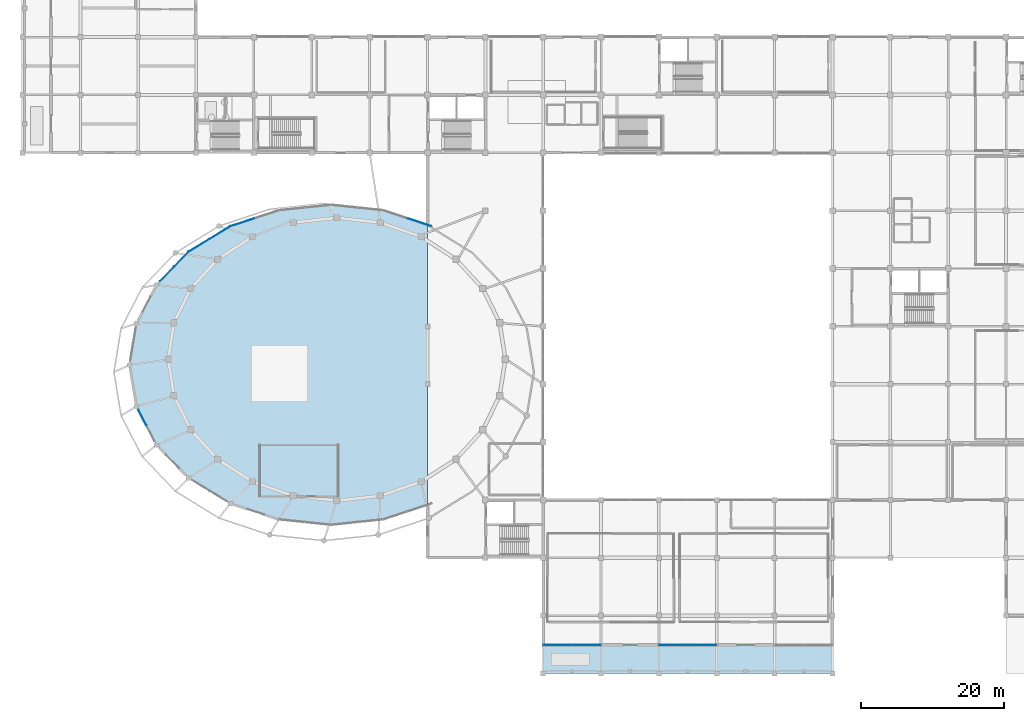
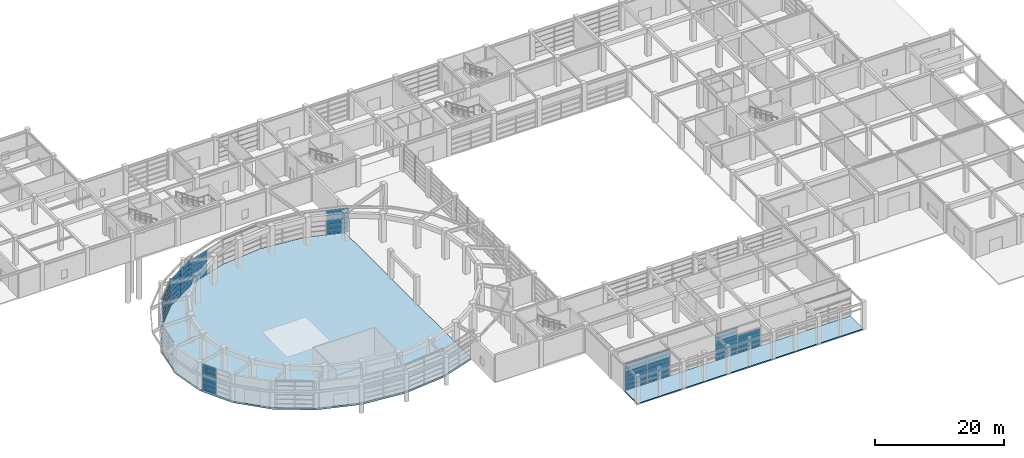
# One storey, part 29 of 52: 62 plates, 2 slabs, 7 elements without a shape of their own.
"""IFC4 building model written with IfcOpenShell, lengths in metres."""

from ifc_helpers import new_model, si_unit, direction, frame, origin, origin_2d, place, context, subcontext, project, spatial, polyline, rectangle, outline, extrude, material, layer, layer_set, type_object, element, aggregate, save


model = new_model("IFC4")

# Units and contexts
model_context = context("Model", 3, precision=1e-05, world=origin(), true_north=direction((0.0, 1.0)))
body_context = subcontext(model_context, "Body", "Model", "MODEL_VIEW")
ifc_project = project(units=[si_unit("LENGTHUNIT", "METRE"), si_unit("AREAUNIT", "SQUARE_METRE"), si_unit("VOLUMEUNIT", "CUBIC_METRE"), si_unit("PLANEANGLEUNIT", "RADIAN"), si_unit("MASSUNIT", "GRAM", prefix="KILO")], contexts=[model_context])

# Site, building, storey
site_placement = place(None, origin())
site = spatial("IfcSite", under=ifc_project, at=site_placement, CompositionType="ELEMENT")
building_placement = place(site_placement, origin())
building = spatial("IfcBuilding", under=site, at=building_placement, Name="Parian Resonance Hall", CompositionType="ELEMENT")
storey_placement = place(building_placement, origin())
storey = spatial("IfcBuildingStorey", under=building, at=storey_placement, Name="L00", CompositionType="ELEMENT", Elevation=0.0)

# Curtain wall, plates
ifc_material_1 = material(Name="Bronze-anodised aluminium frame", Category="aluminium")
curtain_wall_type_1 = type_object("IfcCurtainWallType", Name="CW-SYS-04", PredefinedType="NOTDEFINED", material=ifc_material_1)
curtain_wall_1_placement = place(storey_placement, origin())
curtain_wall_1 = element("IfcCurtainWall", 1, at=curtain_wall_1_placement, inside=storey, type_object=curtain_wall_type_1, Name="Grand foyer recessed base curtain wall 10", PredefinedType="NOTDEFINED")
ifc_material_2 = material(Name="Acoustic laminated double glazing", Category="glass")
ifc_layer_1 = layer(ifc_material_2, 0.02197265625)
ifc_layer_set_1 = layer_set([ifc_layer_1], Name="Acoustic laminated double glazing")
plate_type_1 = type_object("IfcPlateType", Name="CWP-IGU22", PredefinedType="CURTAIN_PANEL", material=ifc_layer_set_1)
plate_1_placement = place(storey_placement, frame((20.2412109375, 55.91455078125, 0.06689453125), z_axis=(0.0, 0.0, 1.0), x_axis=(0.694779772322, 0.719222544122, 0.0)))
plate_1 = element("IfcPlate", 2, at=plate_1_placement, type_object=plate_type_1, Name="CW-04 panel 1.1", PredefinedType="CURTAIN_PANEL", context=body_context, shape_type="SweptSolid", body=[
    extrude(rectangle(XDim=2.79638671875, YDim=0.02197265625, at=origin_2d()), origin(), (0.0, 0.0, 1.0), 0.7421875),
])
plate_2_placement = place(storey_placement, frame((20.2412109375, 55.91455078125, 0.88427734375), z_axis=(0.0, 0.0, 1.0), x_axis=(0.694779772322, 0.719222544122, 0.0)))
plate_2 = element("IfcPlate", 3, at=plate_2_placement, type_object=plate_type_1, Name="CW-04 panel 1.2", PredefinedType="CURTAIN_PANEL", context=body_context, shape_type="SweptSolid", body=[
    extrude(rectangle(XDim=2.79638671875, YDim=0.02197265625, at=origin_2d()), origin(), (0.0, 0.0, 1.0), 0.771484375),
])
plate_3_placement = place(storey_placement, frame((20.2412109375, 55.91455078125, 1.73095703125), z_axis=(0.0, 0.0, 1.0), x_axis=(0.694779772322, 0.719222544122, 0.0)))
plate_3 = element("IfcPlate", 4, at=plate_3_placement, type_object=plate_type_1, Name="CW-04 panel 1.3", PredefinedType="CURTAIN_PANEL", context=body_context, shape_type="SweptSolid", body=[
    extrude(rectangle(XDim=2.79638671875, YDim=0.02197265625, at=origin_2d()), origin(), (0.0, 0.0, 1.0), 0.771728515625),
])
plate_4_placement = place(storey_placement, frame((20.2412109375, 55.91455078125, 2.57763671875), z_axis=(0.0, 0.0, 1.0), x_axis=(0.694779772322, 0.719222544122, 0.0)))
plate_4 = element("IfcPlate", 5, at=plate_4_placement, type_object=plate_type_1, Name="CW-04 panel 1.4", PredefinedType="CURTAIN_PANEL", context=body_context, shape_type="SweptSolid", body=[
    extrude(rectangle(XDim=2.79638671875, YDim=0.02197265625, at=origin_2d()), origin(), (0.0, 0.0, 1.0), 0.771728515625),
])
plate_5_placement = place(storey_placement, frame((20.2412109375, 55.91455078125, 3.42431640625), z_axis=(0.0, 0.0, 1.0), x_axis=(0.694779772322, 0.719222544122, 0.0)))
plate_5 = element("IfcPlate", 6, at=plate_5_placement, type_object=plate_type_1, Name="CW-04 panel 1.5", PredefinedType="CURTAIN_PANEL", context=body_context, shape_type="SweptSolid", body=[
    extrude(rectangle(XDim=2.79638671875, YDim=0.02197265625, at=origin_2d()), origin(), (0.0, 0.0, 1.0), 0.771484375),
])
plate_6_placement = place(storey_placement, frame((20.2412109375, 55.91455078125, 4.270751953125), z_axis=(0.0, 0.0, 1.0), x_axis=(0.694779772322, 0.719222544122, 0.0)))
plate_6 = element("IfcPlate", 7, at=plate_6_placement, type_object=plate_type_1, Name="CW-04 panel 1.6", PredefinedType="CURTAIN_PANEL", context=body_context, shape_type="SweptSolid", body=[
    extrude(rectangle(XDim=2.79638671875, YDim=0.02197265625, at=origin_2d()), origin(), (0.0, 0.0, 1.0), 0.744140625),
])
plate_7_placement = place(storey_placement, frame((22.236083984375, 57.979736328125, 0.06689453125), z_axis=(0.0, 0.0, 1.0), x_axis=(0.694779772322, 0.719222544122, 0.0)))
plate_7 = element("IfcPlate", 8, at=plate_7_placement, type_object=plate_type_1, Name="CW-04 panel 2.1", PredefinedType="CURTAIN_PANEL", context=body_context, shape_type="SweptSolid", body=[
    extrude(rectangle(XDim=2.79638671875, YDim=0.02197265625, at=origin_2d()), origin(), (0.0, 0.0, 1.0), 0.7421875),
])
plate_8_placement = place(storey_placement, frame((22.236083984375, 57.979736328125, 0.88427734375), z_axis=(0.0, 0.0, 1.0), x_axis=(0.694779772322, 0.719222544122, 0.0)))
plate_8 = element("IfcPlate", 9, at=plate_8_placement, type_object=plate_type_1, Name="CW-04 panel 2.2", PredefinedType="CURTAIN_PANEL", context=body_context, shape_type="SweptSolid", body=[
    extrude(rectangle(XDim=2.79638671875, YDim=0.02197265625, at=origin_2d()), origin(), (0.0, 0.0, 1.0), 0.771484375),
])
plate_9_placement = place(storey_placement, frame((22.236083984375, 57.979736328125, 1.73095703125), z_axis=(0.0, 0.0, 1.0), x_axis=(0.694779772322, 0.719222544122, 0.0)))
plate_9 = element("IfcPlate", 10, at=plate_9_placement, type_object=plate_type_1, Name="CW-04 panel 2.3", PredefinedType="CURTAIN_PANEL", context=body_context, shape_type="SweptSolid", body=[
    extrude(rectangle(XDim=2.79638671875, YDim=0.02197265625, at=origin_2d()), origin(), (0.0, 0.0, 1.0), 0.771728515625),
])
plate_10_placement = place(storey_placement, frame((22.236083984375, 57.979736328125, 2.57763671875), z_axis=(0.0, 0.0, 1.0), x_axis=(0.694779772322, 0.719222544122, 0.0)))
plate_10 = element("IfcPlate", 11, at=plate_10_placement, type_object=plate_type_1, Name="CW-04 panel 2.4", PredefinedType="CURTAIN_PANEL", context=body_context, shape_type="SweptSolid", body=[
    extrude(rectangle(XDim=2.79638671875, YDim=0.02197265625, at=origin_2d()), origin(), (0.0, 0.0, 1.0), 0.771728515625),
])
plate_11_placement = place(storey_placement, frame((22.236083984375, 57.979736328125, 3.42431640625), z_axis=(0.0, 0.0, 1.0), x_axis=(0.694779772322, 0.719222544122, 0.0)))
plate_11 = element("IfcPlate", 12, at=plate_11_placement, type_object=plate_type_1, Name="CW-04 panel 2.5", PredefinedType="CURTAIN_PANEL", context=body_context, shape_type="SweptSolid", body=[
    extrude(rectangle(XDim=2.79638671875, YDim=0.02197265625, at=origin_2d()), origin(), (0.0, 0.0, 1.0), 0.771484375),
])
plate_12_placement = place(storey_placement, frame((22.236083984375, 57.979736328125, 4.270751953125), z_axis=(0.0, 0.0, 1.0), x_axis=(0.694779772322, 0.719222544122, 0.0)))
plate_12 = element("IfcPlate", 13, at=plate_12_placement, type_object=plate_type_1, Name="CW-04 panel 2.6", PredefinedType="CURTAIN_PANEL", context=body_context, shape_type="SweptSolid", body=[
    extrude(rectangle(XDim=2.79638671875, YDim=0.02197265625, at=origin_2d()), origin(), (0.0, 0.0, 1.0), 0.744140625),
])
aggregate(curtain_wall_1, [plate_1, plate_2, plate_3, plate_4, plate_5, plate_6, plate_7, plate_8, plate_9, plate_10, plate_11, plate_12])

ifc_material_3 = material(Name="Bronze-anodised aluminium frame", Category="aluminium")
curtain_wall_type_2 = type_object("IfcCurtainWallType", Name="CW-SYS-05", PredefinedType="NOTDEFINED", material=ifc_material_3)
curtain_wall_2_placement = place(storey_placement, origin())
curtain_wall_2 = element("IfcCurtainWall", 14, at=curtain_wall_2_placement, inside=storey, type_object=curtain_wall_type_2, Name="Grand foyer recessed base curtain wall 05", PredefinedType="NOTDEFINED")
ifc_material_4 = material(Name="Acoustic laminated double glazing", Category="glass")
ifc_layer_2 = layer(ifc_material_4, 0.031982421875)
ifc_layer_set_2 = layer_set([ifc_layer_2], Name="Acoustic laminated double glazing")
plate_type_2 = type_object("IfcPlateType", Name="CWP-IGU32", PredefinedType="CURTAIN_PANEL", material=ifc_layer_set_2)
plate_13_placement = place(storey_placement, frame((55.584228515625, 63.16357421875, 0.05712890625), z_axis=(0.0, 0.0, 1.0), x_axis=(0.94990795108, -0.312529813739, 0.0)))
plate_13 = element("IfcPlate", 15, at=plate_13_placement, type_object=plate_type_2, Name="CW-05 panel 2.1", PredefinedType="CURTAIN_PANEL", context=body_context, shape_type="SweptSolid", body=[
    extrude(rectangle(XDim=3.482421875, YDim=0.031982421875, at=origin_2d()), origin(), (0.0, 0.0, 1.0), 0.851806640625),
])
plate_14_placement = place(storey_placement, frame((55.584228515625, 63.16357421875, 0.973876953125), z_axis=(0.0, 0.0, 1.0), x_axis=(0.94990795108, -0.312529813739, 0.0)))
plate_14 = element("IfcPlate", 16, at=plate_14_placement, type_object=plate_type_2, Name="CW-05 panel 2.2", PredefinedType="CURTAIN_PANEL", context=body_context, shape_type="SweptSolid", body=[
    extrude(rectangle(XDim=3.482421875, YDim=0.031982421875, at=origin_2d()), origin(), (0.0, 0.0, 1.0), 0.87646484375),
])
plate_15_placement = place(storey_placement, frame((55.584228515625, 63.16357421875, 1.915283203125), z_axis=(0.0, 0.0, 1.0), x_axis=(0.94990795108, -0.312529813739, 0.0)))
plate_15 = element("IfcPlate", 17, at=plate_15_placement, type_object=plate_type_2, Name="CW-05 panel 2.3", PredefinedType="CURTAIN_PANEL", context=body_context, shape_type="SweptSolid", body=[
    extrude(rectangle(XDim=3.482421875, YDim=0.031982421875, at=origin_2d()), origin(), (0.0, 0.0, 1.0), 0.87646484375),
])
plate_16_placement = place(storey_placement, frame((55.584228515625, 63.16357421875, 2.856689453125), z_axis=(0.0, 0.0, 1.0), x_axis=(0.94990795108, -0.312529813739, 0.0)))
plate_16 = element("IfcPlate", 18, at=plate_16_placement, type_object=plate_type_2, Name="CW-05 panel 2.4", PredefinedType="CURTAIN_PANEL", context=body_context, shape_type="SweptSolid", body=[
    extrude(rectangle(XDim=3.482421875, YDim=0.031982421875, at=origin_2d()), origin(), (0.0, 0.0, 1.0), 0.87646484375),
])
plate_17_placement = place(storey_placement, frame((55.584228515625, 63.16357421875, 3.798095703125), z_axis=(0.0, 0.0, 1.0), x_axis=(0.94990795108, -0.312529813739, 0.0)))
plate_17 = element("IfcPlate", 19, at=plate_17_placement, type_object=plate_type_2, Name="CW-05 panel 2.5", PredefinedType="CURTAIN_PANEL", context=body_context, shape_type="SweptSolid", body=[
    extrude(rectangle(XDim=3.482421875, YDim=0.031982421875, at=origin_2d()), origin(), (0.0, 0.0, 1.0), 0.85400390625),
])
aggregate(curtain_wall_2, [plate_13, plate_14, plate_15, plate_16, plate_17])

ifc_material_5 = material(Name="Bronze-anodised aluminium frame", Category="aluminium")
curtain_wall_type_3 = type_object("IfcCurtainWallType", Name="CW-SYS-02", PredefinedType="NOTDEFINED", material=ifc_material_5)
curtain_wall_3_placement = place(storey_placement, origin())
curtain_wall_3 = element("IfcCurtainWall", 20, at=curtain_wall_3_placement, inside=storey, type_object=curtain_wall_type_3, Name="Grand foyer recessed base curtain wall 08", PredefinedType="NOTDEFINED")
plate_18_placement = place(storey_placement, frame((30.818115234375, 63.164306640625, 0.06689453125), z_axis=(0.0, 0.0, 1.0), x_axis=(0.94990795108, 0.312529813739, 0.0)))
plate_18 = element("IfcPlate", 21, at=plate_18_placement, type_object=plate_type_2, Name="CW-02 panel 1.1", PredefinedType="CURTAIN_PANEL", context=body_context, shape_type="SweptSolid", body=[
    extrude(rectangle(XDim=3.467529296875, YDim=0.031982421875, at=origin_2d()), origin(), (0.0, 0.0, 1.0), 0.8369140625),
])
plate_19_placement = place(storey_placement, frame((30.818115234375, 63.164306640625, 0.97900390625), z_axis=(0.0, 0.0, 1.0), x_axis=(0.94990795108, 0.312529813739, 0.0)))
plate_19 = element("IfcPlate", 22, at=plate_19_placement, type_object=plate_type_2, Name="CW-02 panel 1.2", PredefinedType="CURTAIN_PANEL", context=body_context, shape_type="SweptSolid", body=[
    extrude(rectangle(XDim=3.467529296875, YDim=0.031982421875, at=origin_2d()), origin(), (0.0, 0.0, 1.0), 0.866455078125),
])
plate_20_placement = place(storey_placement, frame((30.818115234375, 63.164306640625, 1.92041015625), z_axis=(0.0, 0.0, 1.0), x_axis=(0.94990795108, 0.312529813739, 0.0)))
plate_20 = element("IfcPlate", 23, at=plate_20_placement, type_object=plate_type_2, Name="CW-02 panel 1.3", PredefinedType="CURTAIN_PANEL", context=body_context, shape_type="SweptSolid", body=[
    extrude(rectangle(XDim=3.467529296875, YDim=0.031982421875, at=origin_2d()), origin(), (0.0, 0.0, 1.0), 0.866455078125),
])
plate_21_placement = place(storey_placement, frame((30.818115234375, 63.164306640625, 2.86181640625), z_axis=(0.0, 0.0, 1.0), x_axis=(0.94990795108, 0.312529813739, 0.0)))
plate_21 = element("IfcPlate", 24, at=plate_21_placement, type_object=plate_type_2, Name="CW-02 panel 1.4", PredefinedType="CURTAIN_PANEL", context=body_context, shape_type="SweptSolid", body=[
    extrude(rectangle(XDim=3.467529296875, YDim=0.031982421875, at=origin_2d()), origin(), (0.0, 0.0, 1.0), 0.866455078125),
])
plate_22_placement = place(storey_placement, frame((30.818115234375, 63.164306640625, 3.80322265625), z_axis=(0.0, 0.0, 1.0), x_axis=(0.94990795108, 0.312529813739, 0.0)))
plate_22 = element("IfcPlate", 25, at=plate_22_placement, type_object=plate_type_2, Name="CW-02 panel 1.5", PredefinedType="CURTAIN_PANEL", context=body_context, shape_type="SweptSolid", body=[
    extrude(rectangle(XDim=3.467529296875, YDim=0.031982421875, at=origin_2d()), origin(), (0.0, 0.0, 1.0), 0.8388671875),
])
aggregate(curtain_wall_3, [plate_18, plate_19, plate_20, plate_21, plate_22])

curtain_wall_4_placement = place(storey_placement, origin())
curtain_wall_4 = element("IfcCurtainWall", 26, at=curtain_wall_4_placement, inside=storey, type_object=curtain_wall_type_1, Name="Curtain wall CW-L00-073", PredefinedType="NOTDEFINED")
plate_23_placement = place(storey_placement, frame((78.958740234375, 4.0, 0.05712890625), z_axis=(0.0, 0.0, 1.0), x_axis=(-1.0, 0.0, 0.0)))
plate_23 = element("IfcPlate", 27, at=plate_23_placement, type_object=plate_type_2, Name="CW-04 panel 1.1", PredefinedType="CURTAIN_PANEL", context=body_context, shape_type="SweptSolid", body=[
    extrude(rectangle(XDim=3.952392578125, YDim=0.031982421875, at=origin_2d()), origin(), (0.0, 0.0, 1.0), 0.752197265625),
])
plate_24_placement = place(storey_placement, frame((78.958740234375, 4.0, 0.8740234375), z_axis=(0.0, 0.0, 1.0), x_axis=(-1.0, 0.0, 0.0)))
plate_24 = element("IfcPlate", 28, at=plate_24_placement, type_object=plate_type_2, Name="CW-04 panel 1.2", PredefinedType="CURTAIN_PANEL", context=body_context, shape_type="SweptSolid", body=[
    extrude(rectangle(XDim=3.952392578125, YDim=0.031982421875, at=origin_2d()), origin(), (0.0, 0.0, 1.0), 0.776611328125),
])
plate_25_placement = place(storey_placement, frame((78.958740234375, 4.0, 1.7158203125), z_axis=(0.0, 0.0, 1.0), x_axis=(-1.0, 0.0, 0.0)))
plate_25 = element("IfcPlate", 29, at=plate_25_placement, type_object=plate_type_2, Name="CW-04 panel 1.3", PredefinedType="CURTAIN_PANEL", context=body_context, shape_type="SweptSolid", body=[
    extrude(rectangle(XDim=3.952392578125, YDim=0.031982421875, at=origin_2d()), origin(), (0.0, 0.0, 1.0), 0.776611328125),
])
plate_26_placement = place(storey_placement, frame((78.958740234375, 4.0, 2.5576171875), z_axis=(0.0, 0.0, 1.0), x_axis=(-1.0, 0.0, 0.0)))
plate_26 = element("IfcPlate", 30, at=plate_26_placement, type_object=plate_type_2, Name="CW-04 panel 1.4", PredefinedType="CURTAIN_PANEL", context=body_context, shape_type="SweptSolid", body=[
    extrude(rectangle(XDim=3.952392578125, YDim=0.031982421875, at=origin_2d()), origin(), (0.0, 0.0, 1.0), 0.776611328125),
])
plate_27_placement = place(storey_placement, frame((78.958740234375, 4.0, 3.3994140625), z_axis=(0.0, 0.0, 1.0), x_axis=(-1.0, 0.0, 0.0)))
plate_27 = element("IfcPlate", 31, at=plate_27_placement, type_object=plate_type_2, Name="CW-04 panel 1.5", PredefinedType="CURTAIN_PANEL", context=body_context, shape_type="SweptSolid", body=[
    extrude(rectangle(XDim=3.952392578125, YDim=0.031982421875, at=origin_2d()), origin(), (0.0, 0.0, 1.0), 0.776611328125),
])
plate_28_placement = place(storey_placement, frame((78.958740234375, 4.0, 4.24072265625), z_axis=(0.0, 0.0, 1.0), x_axis=(-1.0, 0.0, 0.0)))
plate_28 = element("IfcPlate", 32, at=plate_28_placement, type_object=plate_type_2, Name="CW-04 panel 1.6", PredefinedType="CURTAIN_PANEL", context=body_context, shape_type="SweptSolid", body=[
    extrude(rectangle(XDim=3.952392578125, YDim=0.031982421875, at=origin_2d()), origin(), (0.0, 0.0, 1.0), 0.754150390625),
])
plate_29_placement = place(storey_placement, frame((74.941162109375, 4.0, 0.05712890625), z_axis=(0.0, 0.0, 1.0), x_axis=(-1.0, 0.0, 0.0)))
plate_29 = element("IfcPlate", 33, at=plate_29_placement, type_object=plate_type_2, Name="CW-04 panel 2.1", PredefinedType="CURTAIN_PANEL", context=body_context, shape_type="SweptSolid", body=[
    extrude(rectangle(XDim=3.952392578125, YDim=0.031982421875, at=origin_2d()), origin(), (0.0, 0.0, 1.0), 0.752197265625),
])
plate_30_placement = place(storey_placement, frame((74.941162109375, 4.0, 0.8740234375), z_axis=(0.0, 0.0, 1.0), x_axis=(-1.0, 0.0, 0.0)))
plate_30 = element("IfcPlate", 34, at=plate_30_placement, type_object=plate_type_2, Name="CW-04 panel 2.2", PredefinedType="CURTAIN_PANEL", context=body_context, shape_type="SweptSolid", body=[
    extrude(rectangle(XDim=3.952392578125, YDim=0.031982421875, at=origin_2d()), origin(), (0.0, 0.0, 1.0), 0.776611328125),
])
plate_31_placement = place(storey_placement, frame((74.941162109375, 4.0, 1.7158203125), z_axis=(0.0, 0.0, 1.0), x_axis=(-1.0, 0.0, 0.0)))
plate_31 = element("IfcPlate", 35, at=plate_31_placement, type_object=plate_type_2, Name="CW-04 panel 2.3", PredefinedType="CURTAIN_PANEL", context=body_context, shape_type="SweptSolid", body=[
    extrude(rectangle(XDim=3.952392578125, YDim=0.031982421875, at=origin_2d()), origin(), (0.0, 0.0, 1.0), 0.776611328125),
])
plate_32_placement = place(storey_placement, frame((74.941162109375, 4.0, 2.5576171875), z_axis=(0.0, 0.0, 1.0), x_axis=(-1.0, 0.0, 0.0)))
plate_32 = element("IfcPlate", 36, at=plate_32_placement, type_object=plate_type_2, Name="CW-04 panel 2.4", PredefinedType="CURTAIN_PANEL", context=body_context, shape_type="SweptSolid", body=[
    extrude(rectangle(XDim=3.952392578125, YDim=0.031982421875, at=origin_2d()), origin(), (0.0, 0.0, 1.0), 0.776611328125),
])
plate_33_placement = place(storey_placement, frame((74.941162109375, 4.0, 3.3994140625), z_axis=(0.0, 0.0, 1.0), x_axis=(-1.0, 0.0, 0.0)))
plate_33 = element("IfcPlate", 37, at=plate_33_placement, type_object=plate_type_2, Name="CW-04 panel 2.5", PredefinedType="CURTAIN_PANEL", context=body_context, shape_type="SweptSolid", body=[
    extrude(rectangle(XDim=3.952392578125, YDim=0.031982421875, at=origin_2d()), origin(), (0.0, 0.0, 1.0), 0.776611328125),
])
plate_34_placement = place(storey_placement, frame((74.941162109375, 4.0, 4.24072265625), z_axis=(0.0, 0.0, 1.0), x_axis=(-1.0, 0.0, 0.0)))
plate_34 = element("IfcPlate", 38, at=plate_34_placement, type_object=plate_type_2, Name="CW-04 panel 2.6", PredefinedType="CURTAIN_PANEL", context=body_context, shape_type="SweptSolid", body=[
    extrude(rectangle(XDim=3.952392578125, YDim=0.031982421875, at=origin_2d()), origin(), (0.0, 0.0, 1.0), 0.754150390625),
])
aggregate(curtain_wall_4, [plate_23, plate_24, plate_25, plate_26, plate_27, plate_28, plate_29, plate_30, plate_31, plate_32, plate_33, plate_34])

ifc_material_6 = material(Name="Bronze-anodised aluminium frame", Category="aluminium")
curtain_wall_type_4 = type_object("IfcCurtainWallType", Name="CW-SYS-03", PredefinedType="NOTDEFINED", material=ifc_material_6)
curtain_wall_5_placement = place(storey_placement, origin())
curtain_wall_5 = element("IfcCurtainWall", 39, at=curtain_wall_5_placement, inside=storey, type_object=curtain_wall_type_4, Name="Grand foyer recessed base curtain wall 09", PredefinedType="NOTDEFINED")
ifc_material_7 = material(Name="Acoustic laminated double glazing", Category="glass")
ifc_layer_3 = layer(ifc_material_7, 0.0419921875)
ifc_layer_set_3 = layer_set([ifc_layer_3], Name="Acoustic laminated double glazing")
plate_type_3 = type_object("IfcPlateType", Name="CWP-IGU42", PredefinedType="CURTAIN_PANEL", material=ifc_layer_set_3)
plate_35_placement = place(storey_placement, frame((24.733642578125, 59.9375, 0.05712890625), z_axis=(0.0, 0.0, 1.0), x_axis=(0.853888411508, 0.520456127538, 0.0)))
plate_35 = element("IfcPlate", 40, at=plate_35_placement, type_object=plate_type_3, Name="CW-03 panel 1.1", PredefinedType="CURTAIN_PANEL", context=body_context, shape_type="SweptSolid", body=[
    extrude(rectangle(XDim=3.322265625, YDim=0.0419921875, at=origin_2d()), origin(), (0.0, 0.0, 1.0), 0.757080078125),
])
plate_36_placement = place(storey_placement, frame((24.733642578125, 59.9375, 0.87939453125), z_axis=(0.0, 0.0, 1.0), x_axis=(0.853888411508, 0.520456127538, 0.0)))
plate_36 = element("IfcPlate", 41, at=plate_36_placement, type_object=plate_type_3, Name="CW-03 panel 1.2", PredefinedType="CURTAIN_PANEL", context=body_context, shape_type="SweptSolid", body=[
    extrude(rectangle(XDim=3.322265625, YDim=0.0419921875, at=origin_2d()), origin(), (0.0, 0.0, 1.0), 0.781494140625),
])
plate_37_placement = place(storey_placement, frame((24.733642578125, 59.9375, 1.725830078125), z_axis=(0.0, 0.0, 1.0), x_axis=(0.853888411508, 0.520456127538, 0.0)))
plate_37 = element("IfcPlate", 42, at=plate_37_placement, type_object=plate_type_3, Name="CW-03 panel 1.3", PredefinedType="CURTAIN_PANEL", context=body_context, shape_type="SweptSolid", body=[
    extrude(rectangle(XDim=3.322265625, YDim=0.0419921875, at=origin_2d()), origin(), (0.0, 0.0, 1.0), 0.78173828125),
])
plate_38_placement = place(storey_placement, frame((24.733642578125, 59.9375, 2.572509765625), z_axis=(0.0, 0.0, 1.0), x_axis=(0.853888411508, 0.520456127538, 0.0)))
plate_38 = element("IfcPlate", 43, at=plate_38_placement, type_object=plate_type_3, Name="CW-03 panel 1.4", PredefinedType="CURTAIN_PANEL", context=body_context, shape_type="SweptSolid", body=[
    extrude(rectangle(XDim=3.322265625, YDim=0.0419921875, at=origin_2d()), origin(), (0.0, 0.0, 1.0), 0.78173828125),
])
plate_39_placement = place(storey_placement, frame((24.733642578125, 59.9375, 3.41943359375), z_axis=(0.0, 0.0, 1.0), x_axis=(0.853888411508, 0.520456127538, 0.0)))
plate_39 = element("IfcPlate", 44, at=plate_39_placement, type_object=plate_type_3, Name="CW-03 panel 1.5", PredefinedType="CURTAIN_PANEL", context=body_context, shape_type="SweptSolid", body=[
    extrude(rectangle(XDim=3.322265625, YDim=0.0419921875, at=origin_2d()), origin(), (0.0, 0.0, 1.0), 0.781494140625),
])
plate_40_placement = place(storey_placement, frame((24.733642578125, 59.9375, 4.265869140625), z_axis=(0.0, 0.0, 1.0), x_axis=(0.853888411508, 0.520456127538, 0.0)))
plate_40 = element("IfcPlate", 45, at=plate_40_placement, type_object=plate_type_3, Name="CW-03 panel 1.6", PredefinedType="CURTAIN_PANEL", context=body_context, shape_type="SweptSolid", body=[
    extrude(rectangle(XDim=3.322265625, YDim=0.0419921875, at=origin_2d()), origin(), (0.0, 0.0, 1.0), 0.75927734375),
])
plate_41_placement = place(storey_placement, frame((27.6259765625, 61.70068359375, 0.05712890625), z_axis=(0.0, 0.0, 1.0), x_axis=(0.853888411508, 0.520456127538, 0.0)))
plate_41 = element("IfcPlate", 46, at=plate_41_placement, type_object=plate_type_3, Name="CW-03 panel 2.1", PredefinedType="CURTAIN_PANEL", context=body_context, shape_type="SweptSolid", body=[
    extrude(rectangle(XDim=3.322265625, YDim=0.0419921875, at=origin_2d()), origin(), (0.0, 0.0, 1.0), 0.757080078125),
])
plate_42_placement = place(storey_placement, frame((27.6259765625, 61.70068359375, 0.87939453125), z_axis=(0.0, 0.0, 1.0), x_axis=(0.853888411508, 0.520456127538, 0.0)))
plate_42 = element("IfcPlate", 47, at=plate_42_placement, type_object=plate_type_3, Name="CW-03 panel 2.2", PredefinedType="CURTAIN_PANEL", context=body_context, shape_type="SweptSolid", body=[
    extrude(rectangle(XDim=3.322265625, YDim=0.0419921875, at=origin_2d()), origin(), (0.0, 0.0, 1.0), 0.781494140625),
])
plate_43_placement = place(storey_placement, frame((27.6259765625, 61.70068359375, 1.725830078125), z_axis=(0.0, 0.0, 1.0), x_axis=(0.853888411508, 0.520456127538, 0.0)))
plate_43 = element("IfcPlate", 48, at=plate_43_placement, type_object=plate_type_3, Name="CW-03 panel 2.3", PredefinedType="CURTAIN_PANEL", context=body_context, shape_type="SweptSolid", body=[
    extrude(rectangle(XDim=3.322265625, YDim=0.0419921875, at=origin_2d()), origin(), (0.0, 0.0, 1.0), 0.78173828125),
])
plate_44_placement = place(storey_placement, frame((27.6259765625, 61.70068359375, 2.572509765625), z_axis=(0.0, 0.0, 1.0), x_axis=(0.853888411508, 0.520456127538, 0.0)))
plate_44 = element("IfcPlate", 49, at=plate_44_placement, type_object=plate_type_3, Name="CW-03 panel 2.4", PredefinedType="CURTAIN_PANEL", context=body_context, shape_type="SweptSolid", body=[
    extrude(rectangle(XDim=3.322265625, YDim=0.0419921875, at=origin_2d()), origin(), (0.0, 0.0, 1.0), 0.78173828125),
])
plate_45_placement = place(storey_placement, frame((27.6259765625, 61.70068359375, 3.41943359375), z_axis=(0.0, 0.0, 1.0), x_axis=(0.853888411508, 0.520456127538, 0.0)))
plate_45 = element("IfcPlate", 50, at=plate_45_placement, type_object=plate_type_3, Name="CW-03 panel 2.5", PredefinedType="CURTAIN_PANEL", context=body_context, shape_type="SweptSolid", body=[
    extrude(rectangle(XDim=3.322265625, YDim=0.0419921875, at=origin_2d()), origin(), (0.0, 0.0, 1.0), 0.781494140625),
])
plate_46_placement = place(storey_placement, frame((27.6259765625, 61.70068359375, 4.265869140625), z_axis=(0.0, 0.0, 1.0), x_axis=(0.853888411508, 0.520456127538, 0.0)))
plate_46 = element("IfcPlate", 51, at=plate_46_placement, type_object=plate_type_3, Name="CW-03 panel 2.6", PredefinedType="CURTAIN_PANEL", context=body_context, shape_type="SweptSolid", body=[
    extrude(rectangle(XDim=3.322265625, YDim=0.0419921875, at=origin_2d()), origin(), (0.0, 0.0, 1.0), 0.75927734375),
])
aggregate(curtain_wall_5, [plate_35, plate_36, plate_37, plate_38, plate_39, plate_40, plate_41, plate_42, plate_43, plate_44, plate_45, plate_46])

curtain_wall_6_placement = place(storey_placement, origin())
curtain_wall_6 = element("IfcCurtainWall", 52, at=curtain_wall_6_placement, inside=storey, type_object=curtain_wall_type_3, Name="Grand foyer recessed base curtain wall 14", PredefinedType="NOTDEFINED")
plate_47_placement = place(storey_placement, frame((16.79248046875, 35.807861328125, 0.06689453125), z_axis=(0.0, 0.0, 1.0), x_axis=(-0.462362288414, 0.886691104192, 0.0)))
plate_47 = element("IfcPlate", 53, at=plate_47_placement, type_object=plate_type_3, Name="CW-02 panel 2.1", PredefinedType="CURTAIN_PANEL", context=body_context, shape_type="SweptSolid", body=[
    extrude(rectangle(XDim=2.4208984375, YDim=0.0419921875, at=origin_2d()), origin(), (0.0, 0.0, 1.0), 0.7421875),
])
plate_48_placement = place(storey_placement, frame((16.79248046875, 35.807861328125, 0.88427734375), z_axis=(0.0, 0.0, 1.0), x_axis=(-0.462362288414, 0.886691104192, 0.0)))
plate_48 = element("IfcPlate", 54, at=plate_48_placement, type_object=plate_type_3, Name="CW-02 panel 2.2", PredefinedType="CURTAIN_PANEL", context=body_context, shape_type="SweptSolid", body=[
    extrude(rectangle(XDim=2.4208984375, YDim=0.0419921875, at=origin_2d()), origin(), (0.0, 0.0, 1.0), 0.771484375),
])
plate_49_placement = place(storey_placement, frame((16.79248046875, 35.807861328125, 1.73095703125), z_axis=(0.0, 0.0, 1.0), x_axis=(-0.462362288414, 0.886691104192, 0.0)))
plate_49 = element("IfcPlate", 55, at=plate_49_placement, type_object=plate_type_3, Name="CW-02 panel 2.3", PredefinedType="CURTAIN_PANEL", context=body_context, shape_type="SweptSolid", body=[
    extrude(rectangle(XDim=2.4208984375, YDim=0.0419921875, at=origin_2d()), origin(), (0.0, 0.0, 1.0), 0.771728515625),
])
plate_50_placement = place(storey_placement, frame((16.79248046875, 35.807861328125, 2.57763671875), z_axis=(0.0, 0.0, 1.0), x_axis=(-0.462362288414, 0.886691104192, 0.0)))
plate_50 = element("IfcPlate", 56, at=plate_50_placement, type_object=plate_type_3, Name="CW-02 panel 2.4", PredefinedType="CURTAIN_PANEL", context=body_context, shape_type="SweptSolid", body=[
    extrude(rectangle(XDim=2.4208984375, YDim=0.0419921875, at=origin_2d()), origin(), (0.0, 0.0, 1.0), 0.771728515625),
])
plate_51_placement = place(storey_placement, frame((16.79248046875, 35.807861328125, 3.42431640625), z_axis=(0.0, 0.0, 1.0), x_axis=(-0.462362288414, 0.886691104192, 0.0)))
plate_51 = element("IfcPlate", 57, at=plate_51_placement, type_object=plate_type_3, Name="CW-02 panel 2.5", PredefinedType="CURTAIN_PANEL", context=body_context, shape_type="SweptSolid", body=[
    extrude(rectangle(XDim=2.4208984375, YDim=0.0419921875, at=origin_2d()), origin(), (0.0, 0.0, 1.0), 0.771484375),
])
plate_52_placement = place(storey_placement, frame((16.79248046875, 35.807861328125, 4.270751953125), z_axis=(0.0, 0.0, 1.0), x_axis=(-0.462362288414, 0.886691104192, 0.0)))
plate_52 = element("IfcPlate", 58, at=plate_52_placement, type_object=plate_type_3, Name="CW-02 panel 2.6", PredefinedType="CURTAIN_PANEL", context=body_context, shape_type="SweptSolid", body=[
    extrude(rectangle(XDim=2.4208984375, YDim=0.0419921875, at=origin_2d()), origin(), (0.0, 0.0, 1.0), 0.744140625),
])
aggregate(curtain_wall_6, [plate_47, plate_48, plate_49, plate_50, plate_51, plate_52])

ifc_material_8 = material(Name="Bronze-anodised aluminium frame", Category="aluminium")
curtain_wall_type_5 = type_object("IfcCurtainWallType", Name="CW-SYS-06", PredefinedType="NOTDEFINED", material=ifc_material_8)
curtain_wall_7_placement = place(storey_placement, origin())
curtain_wall_7 = element("IfcCurtainWall", 59, at=curtain_wall_7_placement, inside=storey, type_object=curtain_wall_type_5, Name="Curtain wall CW-L00-074", PredefinedType="NOTDEFINED")
plate_53_placement = place(storey_placement, frame((95.15625, 4.0, 0.06689453125), z_axis=(0.0, 0.0, 1.0), x_axis=(-1.0, 0.0, 0.0)))
plate_53 = element("IfcPlate", 60, at=plate_53_placement, type_object=plate_type_3, Name="CW-06 panel 1.1", PredefinedType="CURTAIN_PANEL", context=body_context, shape_type="SweptSolid", body=[
    extrude(rectangle(XDim=3.9375, YDim=0.0419921875, at=origin_2d()), origin(), (0.0, 0.0, 1.0), 0.7373046875),
])
plate_54_placement = place(storey_placement, frame((95.15625, 4.0, 0.879150390625), z_axis=(0.0, 0.0, 1.0), x_axis=(-1.0, 0.0, 0.0)))
plate_54 = element("IfcPlate", 61, at=plate_54_placement, type_object=plate_type_3, Name="CW-06 panel 1.2", PredefinedType="CURTAIN_PANEL", context=body_context, shape_type="SweptSolid", body=[
    extrude(rectangle(XDim=3.9375, YDim=0.0419921875, at=origin_2d()), origin(), (0.0, 0.0, 1.0), 0.7666015625),
])
plate_55_placement = place(storey_placement, frame((95.15625, 4.0, 1.720947265625), z_axis=(0.0, 0.0, 1.0), x_axis=(-1.0, 0.0, 0.0)))
plate_55 = element("IfcPlate", 62, at=plate_55_placement, type_object=plate_type_3, Name="CW-06 panel 1.3", PredefinedType="CURTAIN_PANEL", context=body_context, shape_type="SweptSolid", body=[
    extrude(rectangle(XDim=3.9375, YDim=0.0419921875, at=origin_2d()), origin(), (0.0, 0.0, 1.0), 0.7666015625),
])
plate_56_placement = place(storey_placement, frame((95.15625, 4.0, 2.5625), z_axis=(0.0, 0.0, 1.0), x_axis=(-1.0, 0.0, 0.0)))
plate_56 = element("IfcPlate", 63, at=plate_56_placement, type_object=plate_type_3, Name="CW-06 panel 1.4", PredefinedType="CURTAIN_PANEL", context=body_context, shape_type="SweptSolid", body=[
    extrude(rectangle(XDim=3.9375, YDim=0.0419921875, at=origin_2d()), origin(), (0.0, 0.0, 1.0), 0.7666015625),
])
plate_57_placement = place(storey_placement, frame((91.143798828125, 4.0, 0.06689453125), z_axis=(0.0, 0.0, 1.0), x_axis=(-1.0, 0.0, 0.0)))
plate_57 = element("IfcPlate", 64, at=plate_57_placement, type_object=plate_type_3, Name="CW-06 panel 2.1", PredefinedType="CURTAIN_PANEL", context=body_context, shape_type="SweptSolid", body=[
    extrude(rectangle(XDim=3.9375, YDim=0.0419921875, at=origin_2d()), origin(), (0.0, 0.0, 1.0), 0.7373046875),
])
plate_58_placement = place(storey_placement, frame((91.143798828125, 4.0, 0.879150390625), z_axis=(0.0, 0.0, 1.0), x_axis=(-1.0, 0.0, 0.0)))
plate_58 = element("IfcPlate", 65, at=plate_58_placement, type_object=plate_type_3, Name="CW-06 panel 2.2", PredefinedType="CURTAIN_PANEL", context=body_context, shape_type="SweptSolid", body=[
    extrude(rectangle(XDim=3.9375, YDim=0.0419921875, at=origin_2d()), origin(), (0.0, 0.0, 1.0), 0.7666015625),
])
plate_59_placement = place(storey_placement, frame((91.143798828125, 4.0, 1.720947265625), z_axis=(0.0, 0.0, 1.0), x_axis=(-1.0, 0.0, 0.0)))
plate_59 = element("IfcPlate", 66, at=plate_59_placement, type_object=plate_type_3, Name="CW-06 panel 2.3", PredefinedType="CURTAIN_PANEL", context=body_context, shape_type="SweptSolid", body=[
    extrude(rectangle(XDim=3.9375, YDim=0.0419921875, at=origin_2d()), origin(), (0.0, 0.0, 1.0), 0.7666015625),
])
plate_60_placement = place(storey_placement, frame((91.143798828125, 4.0, 2.5625), z_axis=(0.0, 0.0, 1.0), x_axis=(-1.0, 0.0, 0.0)))
plate_60 = element("IfcPlate", 67, at=plate_60_placement, type_object=plate_type_3, Name="CW-06 panel 2.4", PredefinedType="CURTAIN_PANEL", context=body_context, shape_type="SweptSolid", body=[
    extrude(rectangle(XDim=3.9375, YDim=0.0419921875, at=origin_2d()), origin(), (0.0, 0.0, 1.0), 0.7666015625),
])
plate_61_placement = place(storey_placement, frame((91.143798828125, 4.0, 3.404296875), z_axis=(0.0, 0.0, 1.0), x_axis=(-1.0, 0.0, 0.0)))
plate_61 = element("IfcPlate", 68, at=plate_61_placement, type_object=plate_type_3, Name="CW-06 panel 2.5", PredefinedType="CURTAIN_PANEL", context=body_context, shape_type="SweptSolid", body=[
    extrude(rectangle(XDim=3.9375, YDim=0.0419921875, at=origin_2d()), origin(), (0.0, 0.0, 1.0), 0.7666015625),
])
plate_62_placement = place(storey_placement, frame((91.143798828125, 4.0, 4.245849609375), z_axis=(0.0, 0.0, 1.0), x_axis=(-1.0, 0.0, 0.0)))
plate_62 = element("IfcPlate", 69, at=plate_62_placement, type_object=plate_type_3, Name="CW-06 panel 2.6", PredefinedType="CURTAIN_PANEL", context=body_context, shape_type="SweptSolid", body=[
    extrude(rectangle(XDim=3.9375, YDim=0.0419921875, at=origin_2d()), origin(), (0.0, 0.0, 1.0), 0.7392578125),
])
aggregate(curtain_wall_7, [plate_53, plate_54, plate_55, plate_56, plate_57, plate_58, plate_59, plate_60, plate_61, plate_62])

# Slabs
ifc_material_9 = material(Name="Concrete C35/45", Category="concrete")
ifc_layer_4 = layer(ifc_material_9, 0.22998046875)
ifc_layer_set_4 = layer_set([ifc_layer_4], Name="Concrete C35/45")
slab_type_1 = type_object("IfcSlabType", Name="SLB-ARC-230", PredefinedType="FLOOR", material=ifc_layer_set_4)
slab_1_placement = place(storey_placement, frame((0.0, 0.0, -0.22998046875)))
element("IfcSlab", 70, at=slab_1_placement, inside=storey, type_object=slab_type_1, Name="South boulevard colonnade pavement slab", PredefinedType="FLOOR", context=body_context, shape_type="SweptSolid", body=[
    extrude(outline(polyline([(72.89990234375, 0.0), (113.39990234375, 0.0), (113.39990234375, 4.0), (72.89990234375, 4.0), (72.89990234375, 0.0)])), origin(), (0.0, 0.0, 1.0), 0.22998046875),
])
ifc_material_10 = material(Name="Concrete C35/45", Category="concrete")
ifc_layer_5 = layer(ifc_material_10, 0.320068359375)
ifc_layer_set_5 = layer_set([ifc_layer_5], Name="Concrete C35/45")
slab_type_2 = type_object("IfcSlabType", Name="SLB-GND-320", PredefinedType="BASESLAB", material=ifc_layer_set_5)
slab_2_placement = place(storey_placement, frame((0.0, 0.0, -0.320068359375)))
element("IfcSlab", 71, at=slab_2_placement, inside=storey, type_object=slab_type_2, Name="Ground foyer elliptical base slab", PredefinedType="BASESLAB", context=body_context, shape_type="SweptSolid", body=[
    extrude(outline(polyline([(50.498779296875, 21.563232421875), (56.699951171875, 23.603515625), (56.699951171875, 62.79638671875), (50.498779296875, 64.836669921875), (43.199951171875, 65.60009765625), (35.9013671875, 64.836669921875), (29.10009765625, 62.59912109375), (23.259521484375, 59.039306640625), (18.778076171875, 54.39990234375), (15.9609375, 48.99755859375), (15.0, 43.199951171875), (15.9609375, 37.402587890625), (18.778076171875, 32.0), (23.259521484375, 27.36083984375), (29.10009765625, 23.801025390625), (35.9013671875, 21.563232421875), (43.199951171875, 20.800048828125), (50.498779296875, 21.563232421875)])), origin(), (0.0, 0.0, 1.0), 0.320068359375),
])

save(model, "model.ifc")
